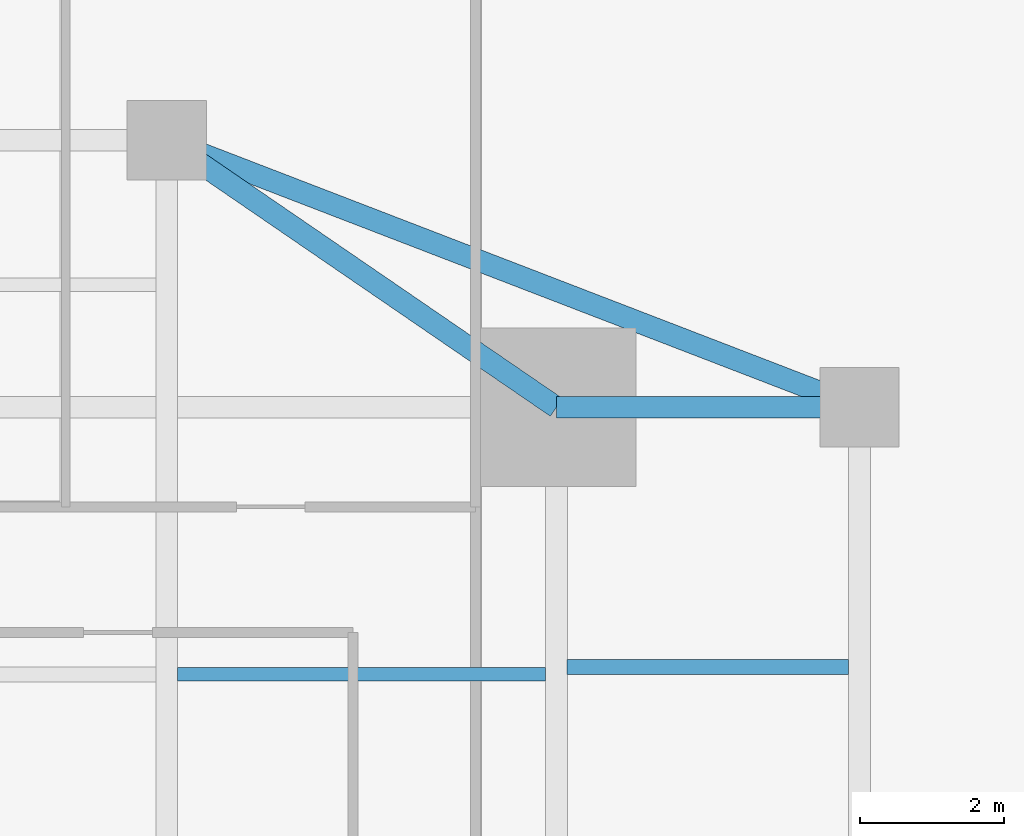
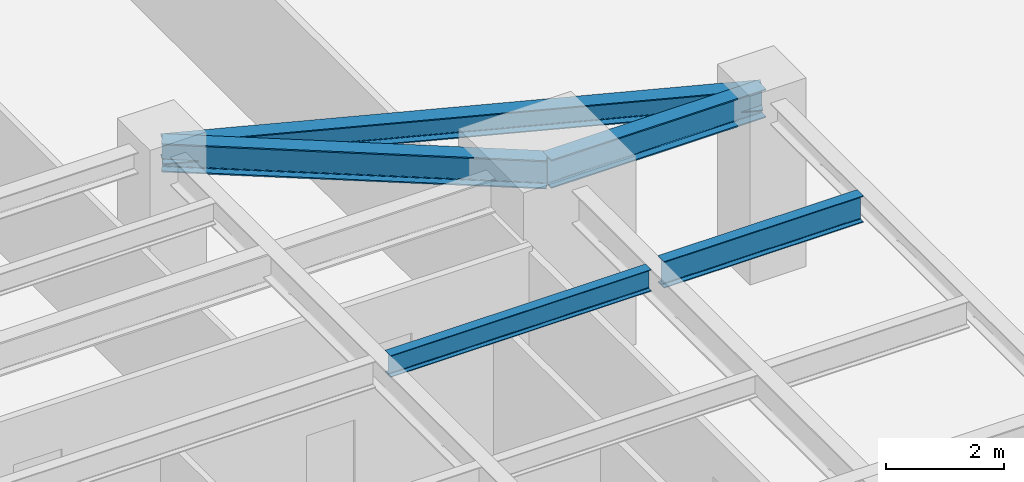
# One storey, part 21 of 30: 5 beams.
"""IFC4 building model written with IfcOpenShell, lengths in metres."""

from ifc_helpers import new_model, si_unit, direction, frame, origin, origin_2d, place, context, subcontext, project, spatial, i_section, extrude, source, transform, mapped, material, material_profile, profile_set, type_object, type_shapes, element, save


model = new_model("IFC4")

# Units and contexts
model_context = context("Model", 3, precision=1e-05, world=origin(), true_north=direction((0.0, 1.0)))
body_context = subcontext(model_context, "Body", "Model", "MODEL_VIEW")
ifc_project = project(units=[si_unit("LENGTHUNIT", "METRE"), si_unit("AREAUNIT", "SQUARE_METRE"), si_unit("VOLUMEUNIT", "CUBIC_METRE"), si_unit("PLANEANGLEUNIT", "RADIAN"), si_unit("MASSUNIT", "GRAM", prefix="KILO")], contexts=[model_context])

# Site, building, storey
site_placement = place(None, origin())
site = spatial("IfcSite", under=ifc_project, at=site_placement, CompositionType="ELEMENT")
building_placement = place(site_placement, origin())
building = spatial("IfcBuilding", under=site, at=building_placement, Name="Krantzveldt Concourse Tower", CompositionType="ELEMENT")
storey_placement = place(building_placement, frame((0.0, 0.0, 25.0)))
storey = spatial("IfcBuildingStorey", under=building, at=storey_placement, Name="L05", CompositionType="ELEMENT", Elevation=25.0)

# Beams
ifc_material = material(Name="Steel S355JR", Category="steel")
ifc_material_profile_1 = material_profile(ifc_material, i_section(OverallWidth=0.300048828125, OverallDepth=0.43994140625, WebThickness=0.011474609375, FlangeThickness=0.02099609375, FilletRadius=0.027099609375, at=origin_2d()), Name="Steel S355JR", Category="steel")
ifc_profile_set_1 = profile_set([ifc_material_profile_1], Name="Steel S355JR - HEA 450")
beam_type_1 = type_object("IfcBeamType", Name="BM-SP-HEA450", PredefinedType="SPANDREL", material=ifc_profile_set_1)
shared_shape_1 = source(origin(), body_context, "Body", "SweptSolid", [
    extrude(i_section(OverallWidth=0.300048828125, OverallDepth=0.43994140625, WebThickness=0.011474609375, FlangeThickness=0.02099609375, FilletRadius=0.027099609375, at=origin_2d()), origin(), (0.0, 0.0, 1.0), 10.288330078125),
])
type_shapes(beam_type_1, [shared_shape_1])
beam_1_placement = place(storey_placement, frame((41.39990234375, 41.199951171875, 3.449951171875), z_axis=(0.933097690408, -0.359622997257, 0.0), x_axis=(0.359622997257, 0.933097690408, 0.0)))
element("IfcBeam", 1, at=beam_1_placement, inside=storey, type_object=beam_type_1, Name="L05 Tower Girder SP-R05", PredefinedType="SPANDREL", context=body_context, shape_type="MappedRepresentation", body=[
    mapped(shared_shape_1, transform((0.0, 0.0, 0.0), x_axis=(1.0, 0.0, 0.0), y_axis=(0.0, 1.0, 0.0), z_axis=(0.0, 0.0, 1.0), scale=1.0)),
])
ifc_material_profile_2 = material_profile(ifc_material, i_section(OverallWidth=0.300048828125, OverallDepth=0.590087890625, WebThickness=0.012939453125, FlangeThickness=0.02490234375, FilletRadius=0.027099609375, at=origin_2d()), Name="Steel S355JR", Category="steel")
ifc_profile_set_2 = profile_set([ifc_material_profile_2], Name="Steel S355JR - HEA 600")
beam_type_2 = type_object("IfcBeamType", Name="BM-B-HEA600", PredefinedType="BEAM", material=ifc_profile_set_2)
shared_shape_2 = source(origin(), body_context, "Body", "SweptSolid", [
    extrude(i_section(OverallWidth=0.300048828125, OverallDepth=0.590087890625, WebThickness=0.012939453125, FlangeThickness=0.02490234375, FilletRadius=0.027099609375, at=origin_2d()), origin(), (0.0, 0.0, 1.0), 4.199951171875),
])
beam_2_placement = place(storey_placement, frame((46.800048828125, 37.5, 3.375), z_axis=(1.0, 0.0, 0.0), x_axis=(0.0, 1.0, 0.0)))
element("IfcBeam", 2, at=beam_2_placement, inside=storey, type_object=beam_type_2, Name="L05 Tower Girder BR-RR3", PredefinedType="BEAM", context=body_context, shape_type="MappedRepresentation", body=[
    mapped(shared_shape_2, transform((0.0, 0.0, 0.0), x_axis=(1.0, 0.0, 0.0), y_axis=(0.0, 1.0, 0.0), z_axis=(0.0, 0.0, 1.0), scale=1.0)),
])
shared_shape_3 = source(origin(), body_context, "Body", "SweptSolid", [
    extrude(i_section(OverallWidth=0.300048828125, OverallDepth=0.590087890625, WebThickness=0.012939453125, FlangeThickness=0.02490234375, FilletRadius=0.027099609375, at=origin_2d()), origin(), (0.0, 0.0, 1.0), 6.546142578125),
])
type_shapes(beam_type_2, [shared_shape_2, shared_shape_3])
beam_3_placement = place(storey_placement, frame((46.800048828125, 37.5, 3.375), z_axis=(-0.824942999484, 0.565215930068, 0.0), x_axis=(-0.565215930068, -0.824942999484, 0.0)))
element("IfcBeam", 3, at=beam_3_placement, inside=storey, type_object=beam_type_2, Name="L05 Tower Girder BR-RR4", PredefinedType="BEAM", context=body_context, shape_type="MappedRepresentation", body=[
    mapped(shared_shape_3, transform((0.0, 0.0, 0.0), x_axis=(1.0, 0.0, 0.0), y_axis=(0.0, 1.0, 0.0), z_axis=(0.0, 0.0, 1.0), scale=1.0)),
])
ifc_material_profile_3 = material_profile(ifc_material, i_section(OverallWidth=0.18994140625, OverallDepth=0.449951171875, WebThickness=0.009521484375, FlangeThickness=0.0146484375, FilletRadius=0.02099609375, at=origin_2d()), Name="Steel S355JR", Category="steel")
ifc_profile_set_3 = profile_set([ifc_material_profile_3], Name="Steel S355JR - IPE 450")
beam_type_3 = type_object("IfcBeamType", Name="BM-J-IPE450", PredefinedType="JOIST", material=ifc_profile_set_3)
shared_shape_4 = source(origin(), body_context, "Body", "SweptSolid", [
    extrude(i_section(OverallWidth=0.18994140625, OverallDepth=0.449951171875, WebThickness=0.009521484375, FlangeThickness=0.0146484375, FilletRadius=0.02099609375, at=origin_2d()), origin(), (0.0, 0.0, 1.0), 5.099853515625),
])
type_shapes(beam_type_3, [shared_shape_4])
beam_4_placement = place(storey_placement, frame((41.550048828125, 33.800048828125, 3.445068359375), z_axis=(1.0, 0.0, 0.0), x_axis=(0.0, 1.0, 0.0)))
element("IfcBeam", 4, at=beam_4_placement, inside=storey, type_object=beam_type_3, Name="L05 Secondary Floor Joist JN-E2", PredefinedType="JOIST", context=body_context, shape_type="MappedRepresentation", body=[
    mapped(shared_shape_4, transform((0.0, 0.0, 0.0), x_axis=(1.0, 0.0, 0.0), y_axis=(0.0, 1.0, 0.0), z_axis=(0.0, 0.0, 1.0), scale=1.0)),
])
ifc_material_profile_4 = material_profile(ifc_material, i_section(OverallWidth=0.2099609375, OverallDepth=0.550048828125, WebThickness=0.010986328125, FlangeThickness=0.01708984375, FilletRadius=0.02392578125, at=origin_2d()), Name="Steel S355JR", Category="steel")
ifc_profile_set_4 = profile_set([ifc_material_profile_4], Name="Steel S355JR - IPE 550")
beam_type_4 = type_object("IfcBeamType", Name="BM-J-IPE550", PredefinedType="JOIST", material=ifc_profile_set_4)
shared_shape_5 = source(origin(), body_context, "Body", "SweptSolid", [
    extrude(i_section(OverallWidth=0.2099609375, OverallDepth=0.550048828125, WebThickness=0.010986328125, FlangeThickness=0.01708984375, FilletRadius=0.02392578125, at=origin_2d()), origin(), (0.0, 0.0, 1.0), 3.900146484375),
])
type_shapes(beam_type_4, [shared_shape_5])
beam_5_placement = place(storey_placement, frame((46.949951171875, 33.89990234375, 3.39501953125), z_axis=(1.0, 0.0, 0.0), x_axis=(0.0, 1.0, 0.0)))
element("IfcBeam", 5, at=beam_5_placement, inside=storey, type_object=beam_type_4, Name="L05 Secondary Floor Joist JE-4", PredefinedType="JOIST", context=body_context, shape_type="MappedRepresentation", body=[
    mapped(shared_shape_5, transform((0.0, 0.0, 0.0), x_axis=(1.0, 0.0, 0.0), y_axis=(0.0, 1.0, 0.0), z_axis=(0.0, 0.0, 1.0), scale=1.0)),
])

save(model, "model.ifc")
